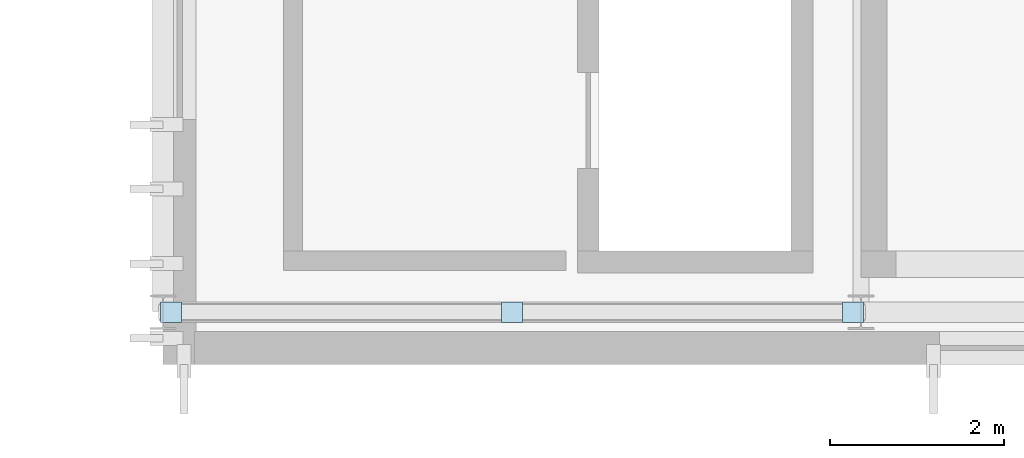
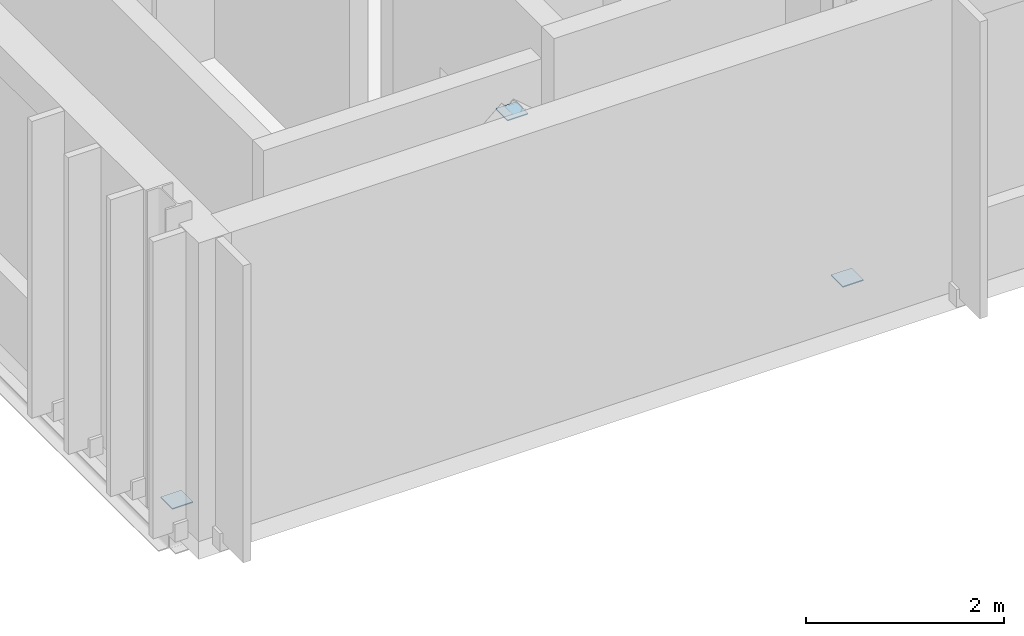
# One storey, part 25 of 40: 3 plates.
"""IFC4 building model written with IfcOpenShell, lengths in metres."""

from ifc_helpers import new_model, si_unit, direction, frame, origin, origin_2d, place, context, subcontext, project, spatial, rectangle, extrude, material, layer, layer_set, type_object, element, save


model = new_model("IFC4")

# Units and contexts
model_context = context("Model", 3, precision=1e-05, world=origin(), true_north=direction((0.0, 1.0)))
body_context = subcontext(model_context, "Body", "Model", "MODEL_VIEW")
ifc_project = project(units=[si_unit("LENGTHUNIT", "METRE"), si_unit("AREAUNIT", "SQUARE_METRE"), si_unit("VOLUMEUNIT", "CUBIC_METRE"), si_unit("PLANEANGLEUNIT", "RADIAN"), si_unit("MASSUNIT", "GRAM", prefix="KILO")], contexts=[model_context])

# Site, building, storey
site_placement = place(None, origin())
site = spatial("IfcSite", under=ifc_project, at=site_placement, CompositionType="ELEMENT")
building_placement = place(site_placement, origin())
building = spatial("IfcBuilding", under=site, at=building_placement, Name="Cymarion Research Institute", CompositionType="ELEMENT")
storey_placement = place(building_placement, frame((0.0, 0.0, 26.699951171875)))
storey = spatial("IfcBuildingStorey", under=building, at=storey_placement, Name="L06", CompositionType="ELEMENT", Elevation=26.699951171875)

# Plates
ifc_material = material(Name="Steel S355", Category="steel")
ifc_layer = layer(ifc_material, 0.011962890625)
ifc_layer_set = layer_set([ifc_layer], Name="Steel S355")
plate_type = type_object("IfcPlateType", Name="STEEL NODE GUSSET PLATE CP02 12MM", PredefinedType="USERDEFINED", material=ifc_layer_set)
for number, where, z_axis, x_axis, name in (
    (1, (142.60009765625, 5.5, 3.5341796875), (0.0, 0.0, 1.0), (1.0, 0.0, 0.0), "L06 V1 chevron apex gusset plate"),
    (2, (138.691162109375, 5.5, 0.1142578125), (0.0, 0.0, 1.0), (1.0, 0.0, 0.0), "L06 V1 chevron base gusset plate #1"),
    (3, (146.5087890625, 5.5, 0.1142578125), (0.0, 0.0, 1.0), (1.0, 0.0, 0.0), "L06 V1 chevron base gusset plate #2"),
):
    element("IfcPlate", number, at=place(storey_placement, frame(where, z_axis=z_axis, x_axis=x_axis)), inside=storey, type_object=plate_type, Name=name, ObjectType="GUSSET PLATE", PredefinedType="USERDEFINED", context=body_context, shape_type="SweptSolid", body=[
        extrude(rectangle(XDim=0.239990234375, YDim=0.239990234375, at=origin_2d()), origin(), (0.0, 0.0, 1.0), 0.011962890625),
    ])

save(model, "model.ifc")
